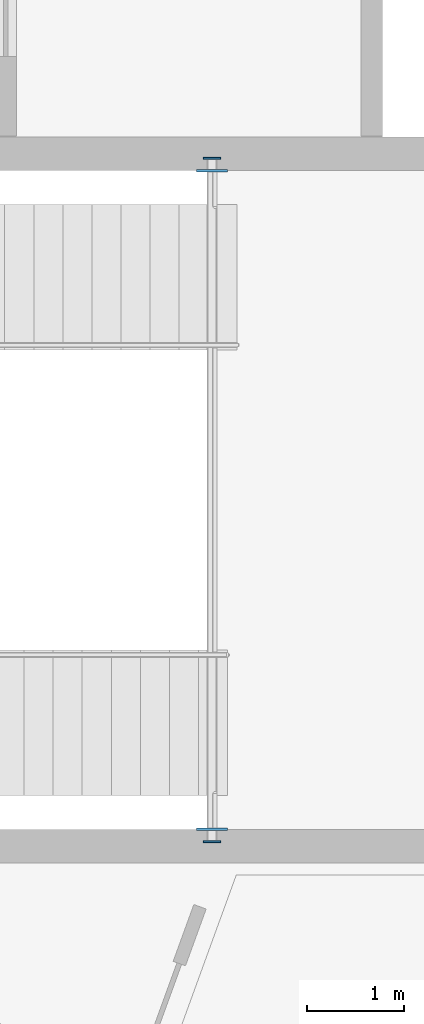
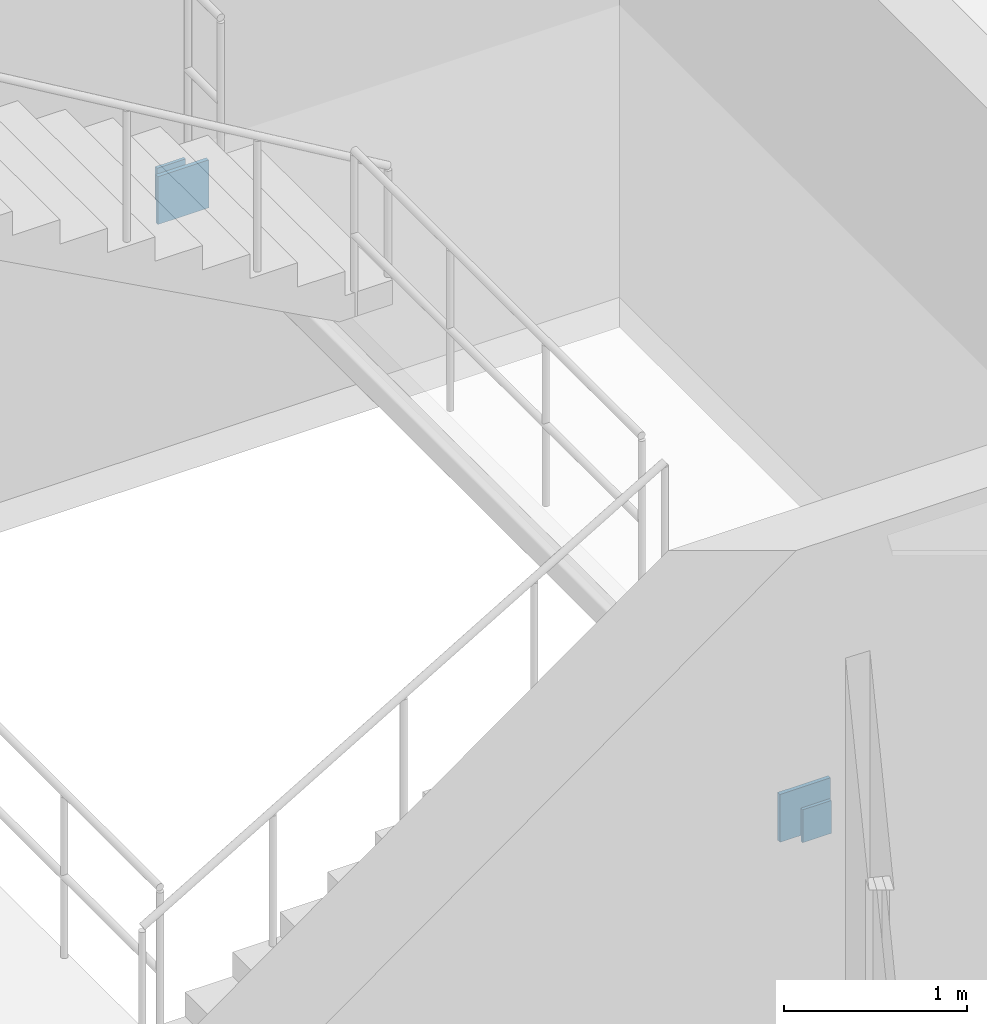
# One storey, part 24 of 42: 4 plates.
"""IFC4 building model written with IfcOpenShell, lengths in metres."""

from ifc_helpers import new_model, si_unit, direction, frame, origin, origin_2d, place, context, subcontext, project, spatial, rectangle, extrude, material, layer, layer_set, type_object, element, save


model = new_model("IFC4")

# Units and contexts
model_context = context("Model", 3, precision=1e-05, world=origin(), true_north=direction((0.0, 1.0)))
body_context = subcontext(model_context, "Body", "Model", "MODEL_VIEW")
ifc_project = project(units=[si_unit("LENGTHUNIT", "METRE"), si_unit("AREAUNIT", "SQUARE_METRE"), si_unit("VOLUMEUNIT", "CUBIC_METRE"), si_unit("PLANEANGLEUNIT", "RADIAN"), si_unit("MASSUNIT", "GRAM", prefix="KILO"), si_unit("THERMODYNAMICTEMPERATUREUNIT", "KELVIN"), si_unit("POWERUNIT", "WATT")], contexts=[model_context])

# Site, building, storey
site_placement = place(None, origin())
site = spatial("IfcSite", under=ifc_project, at=site_placement, CompositionType="ELEMENT")
building_placement = place(site_placement, origin())
building = spatial("IfcBuilding", under=site, at=building_placement, Name="Solvatero Civic Police Headquarters", CompositionType="ELEMENT")
storey_placement = place(building_placement, frame((0.0, 0.0, 21.60009765625)))
storey = spatial("IfcBuildingStorey", under=building, at=storey_placement, Name="L05", CompositionType="ELEMENT", Elevation=21.60009765625)

# Plates
ifc_material = material(Name="Steel S355", Category="steel")
ifc_layer_1 = layer(ifc_material, 0.02001953125)
ifc_layer_set_1 = layer_set([ifc_layer_1], Name="Steel S355")
plate_type_1 = type_object("IfcPlateType", Name="PLT-CAP-20", PredefinedType="SHEET", material=ifc_layer_set_1)
for number, where, z_axis, x_axis, name in (
    (1, (45.840087890625, 42.469970703125, 1.56494140625), (0.0, 0.0, 1.0), (1.0, 0.0, 0.0), "Hollow Section Cap Plate 0033"),
    (2, (45.840087890625, 49.530029296875, 1.56494140625), (0.0, 0.0, 1.0), (1.0, 0.0, 0.0), "Hollow Section Cap Plate 0034"),
):
    element("IfcPlate", number, at=place(storey_placement, frame(where, z_axis=z_axis, x_axis=x_axis)), inside=storey, type_object=plate_type_1, Name=name, PredefinedType="SHEET", context=body_context, shape_type="SweptSolid", body=[
        extrude(rectangle(XDim=0.179931640625, YDim=0.02001953125, at=origin_2d()), origin(), (0.0, 0.0, 1.0), 0.219970703125),
    ])
ifc_layer_2 = layer(ifc_material, 0.02490234375)
ifc_layer_set_2 = layer_set([ifc_layer_2], Name="Steel S355")
plate_type_2 = type_object("IfcPlateType", Name="PLT-EMB-25", PredefinedType="SHEET", material=ifc_layer_set_2)
for number, where, z_axis, x_axis, name in (
    (3, (45.840087890625, 42.60009765625, 1.5146484375), (0.0, 0.0, 1.0), (1.0, 0.0, 0.0), "Cast-In Shear Wall Embed Plate 0033"),
    (4, (45.840087890625, 49.39990234375, 1.5146484375), (0.0, 0.0, 1.0), (1.0, 0.0, 0.0), "Cast-In Shear Wall Embed Plate 0034"),
):
    element("IfcPlate", number, at=place(storey_placement, frame(where, z_axis=z_axis, x_axis=x_axis)), inside=storey, type_object=plate_type_2, Name=name, PredefinedType="SHEET", context=body_context, shape_type="SweptSolid", body=[
        extrude(rectangle(XDim=0.320068359375, YDim=0.02490234375, at=origin_2d()), origin(), (0.0, 0.0, 1.0), 0.320068359375),
    ])

save(model, "model.ifc")
